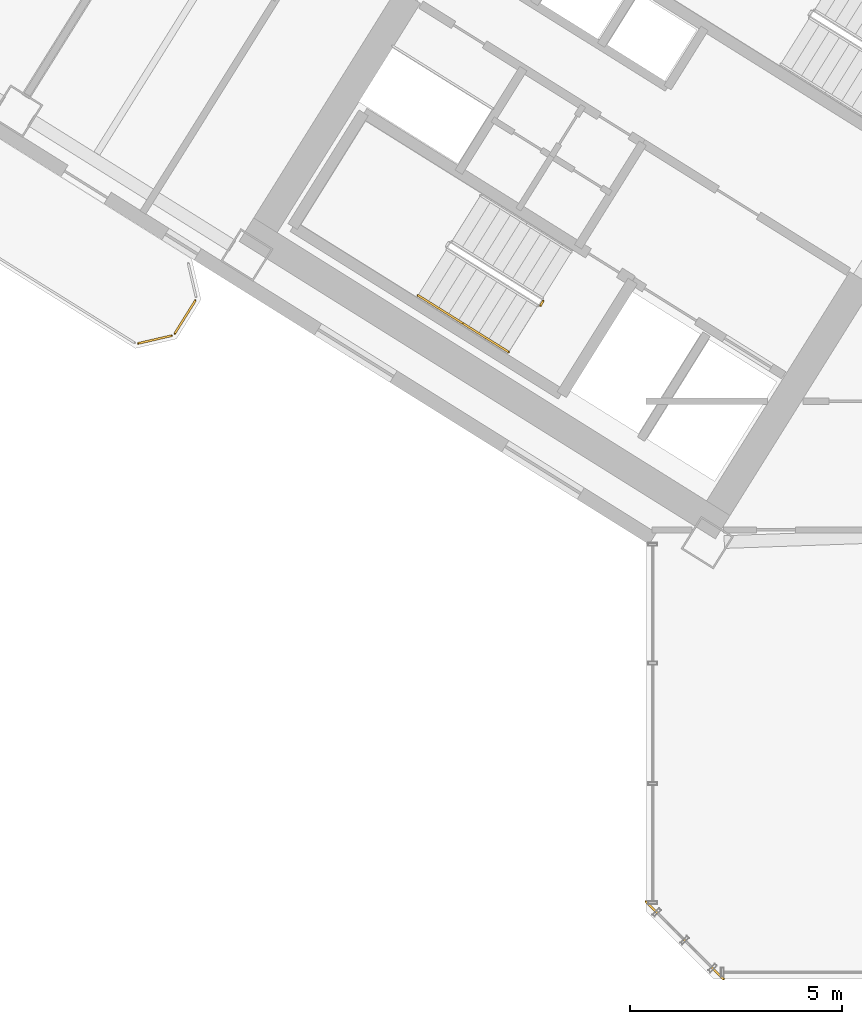
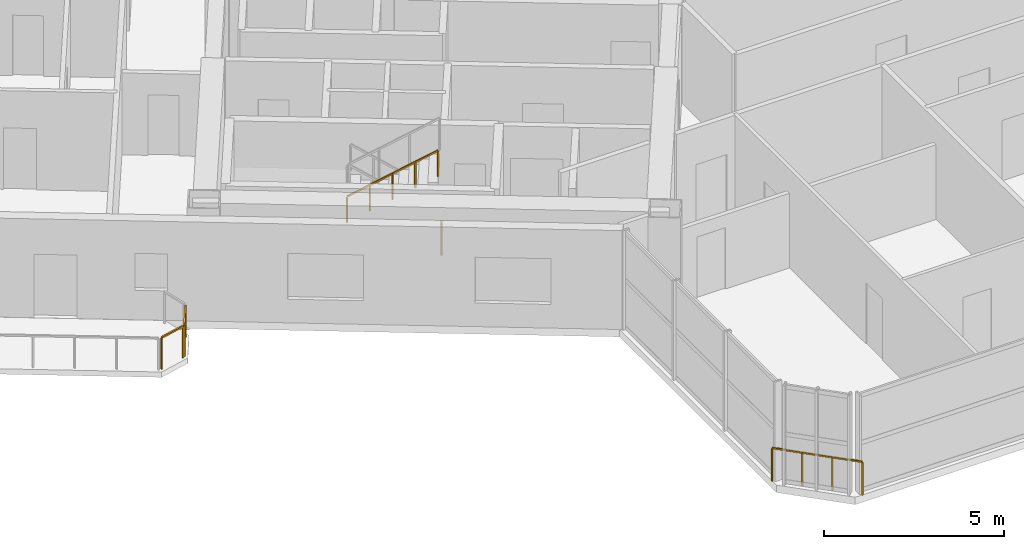
# One storey, part 18 of 21: 6 railings.
"""IFC4 building model written with IfcOpenShell, lengths in metres."""

from ifc_helpers import new_model, si_unit, direction, frame, origin, origin_2d, place, context, subcontext, project, spatial, rectangle, extrude, source, transform, mapped, material, type_object, element, save


model = new_model("IFC4")

# Units and contexts
model_context = context("Model", 3, precision=1e-05, world=origin(), true_north=direction((0.0, 1.0)))
body_context = subcontext(model_context, "Body", "Model", "MODEL_VIEW")
ifc_project = project(units=[si_unit("LENGTHUNIT", "METRE"), si_unit("AREAUNIT", "SQUARE_METRE"), si_unit("VOLUMEUNIT", "CUBIC_METRE"), si_unit("PLANEANGLEUNIT", "RADIAN"), si_unit("MASSUNIT", "GRAM", prefix="KILO")], contexts=[model_context])

# Site, building, storey
site_placement = place(None, origin())
site = spatial("IfcSite", under=ifc_project, at=site_placement, CompositionType="ELEMENT")
building_placement = place(site_placement, origin())
building = spatial("IfcBuilding", under=site, at=building_placement, Name="Tlacorven Tower", CompositionType="ELEMENT")
storey_placement = place(building_placement, frame((0.0, 0.0, 93.60009765625)))
storey = spatial("IfcBuildingStorey", under=building, at=storey_placement, Name="L23", CompositionType="ELEMENT", Elevation=93.60009765625)

# Railings
ifc_material = material(Name="Aluminium and painted steel balustrade", Category="steel")
railing_type_1 = type_object("IfcRailingType", Name="RL-BAL-1100", PredefinedType="BALUSTRADE", material=ifc_material)
shared_shape_1 = source(origin(), body_context, "Body", "SweptSolid", [
    extrude(rectangle(XDim=0.048095703125, YDim=0.048095703125, at=origin_2d()), frame((0.0, 0.0, 1.076171875), z_axis=(-0.52987865805, -0.848073468364, 0.0), x_axis=(0.848073468364, -0.52987865805, 0.0)), (0.0, 0.0, 1.0), 0.912353515625),
    extrude(rectangle(XDim=0.0419921875, YDim=0.0419921875, at=origin_2d()), origin(), (0.0, 0.0, 1.0), 1.052001953125),
    extrude(rectangle(XDim=0.0419921875, YDim=0.0419921875, at=origin_2d()), frame((-0.4833984375, -0.773681640625, 0.0)), (0.0, 0.0, 1.0), 1.052001953125),
])
railing_1_placement = place(storey_placement, frame((20.976318359375, 17.793701171875, 0.0)))
element("IfcRailing", 1, at=railing_1_placement, inside=storey, type_object=railing_type_1, Name="BAL-L23-W-OUT Guard Railing 2", PredefinedType="BALUSTRADE", context=body_context, shape_type="MappedRepresentation", body=[
    mapped(shared_shape_1, transform((0.0, 0.0, 0.0), scale=1.0)),
])
shared_shape_2 = source(origin(), body_context, "Body", "SweptSolid", [
    extrude(rectangle(XDim=0.048095703125, YDim=0.048095703125, at=origin_2d()), frame((0.0, 0.0, 1.076171875), z_axis=(-0.974345290916, -0.225058334816, 0.0), x_axis=(0.225058334816, -0.974345290916, 0.0)), (0.0, 0.0, 1.0), 0.80712890625),
    extrude(rectangle(XDim=0.0419921875, YDim=0.0419921875, at=origin_2d()), origin(), (0.0, 0.0, 1.0), 1.052001953125),
    extrude(rectangle(XDim=0.0419921875, YDim=0.0419921875, at=origin_2d()), frame((-0.786376953125, -0.181640625, 0.0)), (0.0, 0.0, 1.0), 1.052001953125),
])
railing_2_placement = place(storey_placement, frame((20.417724609375, 16.966552734375, 0.0)))
element("IfcRailing", 2, at=railing_2_placement, inside=storey, type_object=railing_type_1, Name="BAL-L23-W-OUT Guard Railing 3", PredefinedType="BALUSTRADE", context=body_context, shape_type="MappedRepresentation", body=[
    mapped(shared_shape_2, transform((0.0, 0.0, 0.0), scale=1.0)),
])
railing_type_2 = type_object("IfcRailingType", Name="RL-GRD-1150", PredefinedType="GUARDRAIL", material=ifc_material)
shared_shape_3 = source(origin(), body_context, "Body", "SweptSolid", [
    extrude(rectangle(XDim=0.048095703125, YDim=0.048095703125, at=origin_2d()), frame((0.0, 0.0, 1.1259765625), z_axis=(-0.707106781187, 0.707106781187, 0.0), x_axis=(-0.707106781187, -0.707106781187, 0.0)), (0.0, 0.0, 1.0), 2.590087890625),
    extrude(rectangle(XDim=0.0419921875, YDim=0.0419921875, at=origin_2d()), origin(), (0.0, 0.0, 1.0), 1.101806640625),
    extrude(rectangle(XDim=0.0419921875, YDim=0.0419921875, at=origin_2d()), frame((-0.610595703125, 0.610595703125, 0.0)), (0.0, 0.0, 1.0), 1.101806640625),
    extrude(rectangle(XDim=0.0419921875, YDim=0.0419921875, at=origin_2d()), frame((-1.220947265625, 1.220947265625, 0.0)), (0.0, 0.0, 1.0), 1.101806640625),
    extrude(rectangle(XDim=0.0419921875, YDim=0.0419921875, at=origin_2d()), frame((-1.83154296875, 1.83154296875, 0.0)), (0.0, 0.0, 1.0), 1.101806640625),
])
railing_3_placement = place(storey_placement, frame((33.428955078125, 1.79736328125, 0.0)))
element("IfcRailing", 3, at=railing_3_placement, inside=storey, type_object=railing_type_2, Name="L23 Knuckle Glazed Sill Guard 1", PredefinedType="GUARDRAIL", context=body_context, shape_type="MappedRepresentation", body=[
    mapped(shared_shape_3, transform((0.0, 0.0, 0.0), scale=1.0)),
])
railing_type_3 = type_object("IfcRailingType", Name="RL-GRD-1100", PredefinedType="GUARDRAIL", material=ifc_material)
shared_shape_4 = source(origin(), body_context, "Body", "SweptSolid", [
    extrude(rectangle(XDim=0.048095703125, YDim=0.048095703125, at=origin_2d()), frame((0.0, 0.0, 1.076171875), z_axis=(-0.529084052582, -0.848569422795, 0.0), x_axis=(0.848569422795, -0.529084052582, 0.0)), (0.0, 0.0, 1.0), 0.119873046875),
    extrude(rectangle(XDim=0.0419921875, YDim=0.0419921875, at=origin_2d()), origin(), (0.0, 0.0, 1.0), 1.052001953125),
    extrude(rectangle(XDim=0.0419921875, YDim=0.0419921875, at=origin_2d()), frame((-0.0634765625, -0.101806640625, 0.0)), (0.0, 0.0, 1.0), 1.052001953125),
])
railing_4_placement = place(storey_placement, frame((29.176513671875, 17.782958984375, 0.0)))
element("IfcRailing", 4, at=railing_4_placement, inside=storey, type_object=railing_type_3, Name="L23 ST-W1 stair guard 4", PredefinedType="GUARDRAIL", context=body_context, shape_type="MappedRepresentation", body=[
    mapped(shared_shape_4, transform((0.0, 0.0, 0.0), scale=1.0)),
])
railing_type_4 = type_object("IfcRailingType", Name="RL-HND-0900", PredefinedType="HANDRAIL", material=ifc_material)
shared_shape_5 = source(origin(), body_context, "Body", "SweptSolid", [
    extrude(rectangle(XDim=0.048095703125, YDim=0.048095703125, at=origin_2d()), frame((0.0, 0.0, 0.8759765625), z_axis=(0.713279695859, -0.445799809912, 0.540827703579), x_axis=(0.529998940003, 0.847998304005, 0.0)), (0.0, 0.0, 1.0), 1.497802734375),
    extrude(rectangle(XDim=0.0419921875, YDim=0.0419921875, at=origin_2d()), origin(), (0.0, 0.0, 1.0), 0.851806640625),
    extrude(rectangle(XDim=0.0419921875, YDim=0.0419921875, at=origin_2d()), frame((0.5341796875, -0.333984375, 0.405029296875)), (0.0, 0.0, 1.0), 0.851806640625),
    extrude(rectangle(XDim=0.0419921875, YDim=0.0419921875, at=origin_2d()), frame((1.068359375, -0.667724609375, 0.81005859375)), (0.0, 0.0, 1.0), 0.851806640625),
])
railing_5_placement = place(storey_placement, frame((27.29736328125, 17.24755859375, 2.789794921875)))
element("IfcRailing", 5, at=railing_5_placement, inside=storey, type_object=railing_type_4, Name="L23 ST-W1 stair handrail 4", PredefinedType="HANDRAIL", context=body_context, shape_type="MappedRepresentation", body=[
    mapped(shared_shape_5, transform((0.0, 0.0, 0.0), scale=1.0)),
])
shared_shape_6 = source(origin(), body_context, "Body", "SweptSolid", [
    extrude(rectangle(XDim=0.048095703125, YDim=0.048095703125, at=origin_2d()), frame((0.0, 0.0, 0.8759765625), z_axis=(0.713422621445, -0.445787267455, 0.540649494022), x_axis=(0.529911857636, 0.848052724267, 0.0)), (0.0, 0.0, 1.0), 1.497802734375),
    extrude(rectangle(XDim=0.0419921875, YDim=0.0419921875, at=origin_2d()), origin(), (0.0, 0.0, 1.0), 0.851806640625),
    extrude(rectangle(XDim=0.0419921875, YDim=0.0419921875, at=origin_2d()), frame((0.5341796875, -0.333984375, 0.40478515625)), (0.0, 0.0, 1.0), 0.851806640625),
    extrude(rectangle(XDim=0.0419921875, YDim=0.0419921875, at=origin_2d()), frame((1.068603515625, -0.667724609375, 0.809814453125)), (0.0, 0.0, 1.0), 0.851806640625),
])
railing_6_placement = place(storey_placement, frame((26.228759765625, 17.915283203125, 1.97998046875)))
element("IfcRailing", 6, at=railing_6_placement, inside=storey, type_object=railing_type_4, Name="L23 ST-W1 stair handrail 3", PredefinedType="HANDRAIL", context=body_context, shape_type="MappedRepresentation", body=[
    mapped(shared_shape_6, transform((0.0, 0.0, 0.0), scale=1.0)),
])

save(model, "model.ifc")
